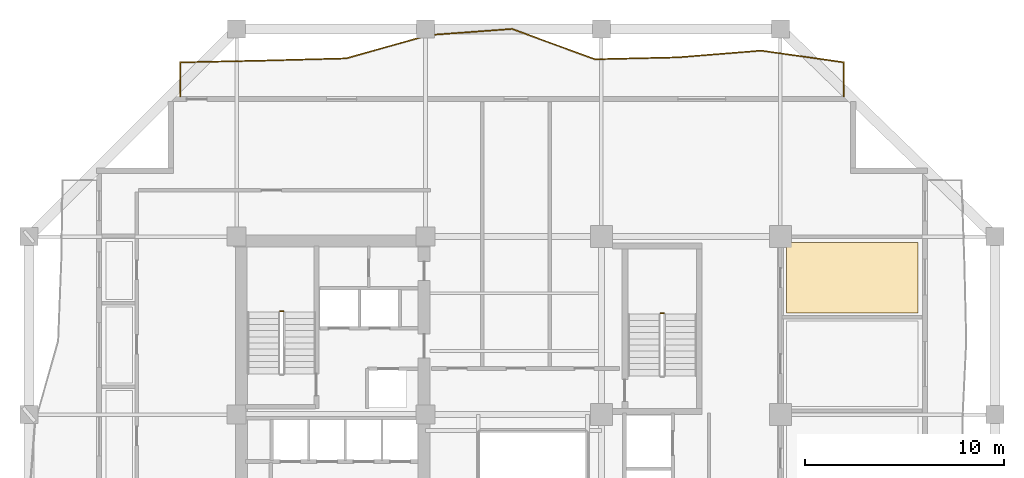
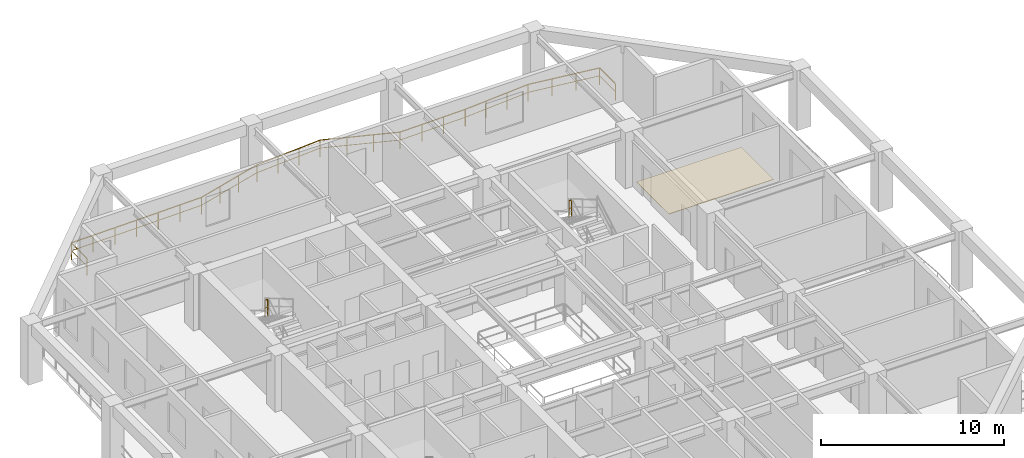
# One storey, part 10 of 11: 3 railings, 1 covering.
"""IFC4 building model written with IfcOpenShell, lengths in metres."""

from ifc_helpers import new_model, si_unit, direction, frame, origin, origin_2d, place, context, subcontext, project, spatial, polyline, rectangle, outline, extrude, material, layer, layer_set, type_object, element, save


model = new_model("IFC4")

# Units and contexts
model_context = context("Model", 3, precision=1e-05, world=origin(), true_north=direction((0.0, 1.0)))
body_context = subcontext(model_context, "Body", "Model", "MODEL_VIEW")
ifc_project = project(units=[si_unit("LENGTHUNIT", "METRE"), si_unit("AREAUNIT", "SQUARE_METRE"), si_unit("VOLUMEUNIT", "CUBIC_METRE"), si_unit("PLANEANGLEUNIT", "RADIAN"), si_unit("MASSUNIT", "GRAM", prefix="KILO")], contexts=[model_context])

# Site, building, storey
site_placement = place(None, origin())
site = spatial("IfcSite", under=ifc_project, at=site_placement, CompositionType="ELEMENT")
building_placement = place(site_placement, origin())
building = spatial("IfcBuilding", under=site, at=building_placement, Name="Kundavana Baori Tower", CompositionType="ELEMENT")
storey_placement = place(building_placement, frame((0.0, 0.0, 82.0)))
storey = spatial("IfcBuildingStorey", under=building, at=storey_placement, Name="L19", CompositionType="ELEMENT", Elevation=82.0)

# Covering
ifc_material_1 = material(Name="Honed Kota Stone and Terrazzo Flooring", Category="masonry")
ifc_layer = layer(ifc_material_1, 0.030029296875, Name="COV-INT-FLR")
ifc_layer_set = layer_set([ifc_layer], Name="Honed Kota Stone and Terrazzo Flooring")
covering_type = type_object("IfcCoveringType", Name="COV-INT-FLR", PredefinedType="FLOORING", material=ifc_layer_set)
covering_placement = place(storey_placement, origin())
element("IfcCovering", 1, at=covering_placement, inside=storey, type_object=covering_type, Name="L19 Room Finished Stone Flooring 18", PredefinedType="FLOORING", context=body_context, shape_type="SweptSolid", body=[
    extrude(outline(polyline([(43.10009765625, 38.10009765625), (49.719970703125, 38.10009765625), (49.719970703125, 41.64990234375), (43.10009765625, 41.64990234375), (43.10009765625, 38.10009765625)])), origin(), (0.0, 0.0, 1.0), 0.030029296875),
])

# Railings
ifc_material_2 = material(Name="Architectural Patinated Bronze Metalwork")
railing_type_1 = type_object("IfcRailingType", Name="RL-BAL-1150", PredefinedType="BALUSTRADE", material=ifc_material_2)
railing_1_placement = place(storey_placement, frame((12.60009765625, 49.0, 0.0)))
element("IfcRailing", 2, at=railing_1_placement, inside=storey, type_object=railing_type_1, Name="L19 Loggia Balcony Balustrade N", PredefinedType="BALUSTRADE", context=body_context, shape_type="SweptSolid", body=[
    extrude(rectangle(XDim=0.048095703125, YDim=0.048095703125, at=origin_2d()), frame((0.0, 0.0, 1.1259765625), z_axis=(0.0, 1.0, 0.0), x_axis=(-1.0, 0.0, 0.0)), (0.0, 0.0, 1.0), 1.719970703125),
    extrude(rectangle(XDim=0.03125, YDim=0.03125, at=origin_2d()), frame((0.0, 0.0, 0.597900390625), z_axis=(0.0, 1.0, 0.0), x_axis=(-1.0, 0.0, 0.0)), (0.0, 0.0, 1.0), 1.719970703125),
    extrude(rectangle(XDim=0.048095703125, YDim=0.048095703125, at=origin_2d()), frame((0.0, 1.719970703125, 1.1259765625), z_axis=(0.999777234952, 0.021106408293, 0.0), x_axis=(-0.021106408293, 0.999777234952, 0.0)), (0.0, 0.0, 1.0), 4.17578125),
    extrude(rectangle(XDim=0.03125, YDim=0.03125, at=origin_2d()), frame((0.0, 1.719970703125, 0.597900390625), z_axis=(0.999777234952, 0.021106408293, 0.0), x_axis=(-0.021106408293, 0.999777234952, 0.0)), (0.0, 0.0, 1.0), 4.17578125),
    extrude(rectangle(XDim=0.048095703125, YDim=0.048095703125, at=origin_2d()), frame((4.1748046875, 1.80810546875, 1.1259765625), z_axis=(0.999647783903, 0.026538804391, 0.0), x_axis=(-0.026538804391, 0.999647783903, 0.0)), (0.0, 0.0, 1.0), 4.176513671875),
    extrude(rectangle(XDim=0.03125, YDim=0.03125, at=origin_2d()), frame((4.1748046875, 1.80810546875, 0.597900390625), z_axis=(0.999647783903, 0.026538804391, 0.0), x_axis=(-0.026538804391, 0.999647783903, 0.0)), (0.0, 0.0, 1.0), 4.176513671875),
    extrude(rectangle(XDim=0.048095703125, YDim=0.048095703125, at=origin_2d()), frame((8.349853515625, 1.9189453125, 1.1259765625), z_axis=(0.96283643691, 0.2700851639, 0.0), x_axis=(-0.2700851639, 0.96283643691, 0.0)), (0.0, 0.0, 1.0), 4.336181640625),
    extrude(rectangle(XDim=0.03125, YDim=0.03125, at=origin_2d()), frame((8.349853515625, 1.9189453125, 0.597900390625), z_axis=(0.96283643691, 0.2700851639, 0.0), x_axis=(-0.2700851639, 0.96283643691, 0.0)), (0.0, 0.0, 1.0), 4.336181640625),
    extrude(rectangle(XDim=0.048095703125, YDim=0.048095703125, at=origin_2d()), frame((12.52490234375, 3.090087890625, 1.1259765625), z_axis=(0.997258039813, 0.074002716363, 0.0), x_axis=(-0.074002716363, 0.997258039813, 0.0)), (0.0, 0.0, 1.0), 4.1865234375),
    extrude(rectangle(XDim=0.03125, YDim=0.03125, at=origin_2d()), frame((12.52490234375, 3.090087890625, 0.597900390625), z_axis=(0.997258039813, 0.074002716363, 0.0), x_axis=(-0.074002716363, 0.997258039813, 0.0)), (0.0, 0.0, 1.0), 4.1865234375),
    extrude(rectangle(XDim=0.048095703125, YDim=0.048095703125, at=origin_2d()), frame((16.699951171875, 3.39990234375, 1.1259765625), z_axis=(0.939237342808, -0.343268428311, 0.0), x_axis=(0.343268428311, 0.939237342808, 0.0)), (0.0, 0.0, 1.0), 4.445068359375),
    extrude(rectangle(XDim=0.03125, YDim=0.03125, at=origin_2d()), frame((16.699951171875, 3.39990234375, 0.597900390625), z_axis=(0.939237342808, -0.343268428311, 0.0), x_axis=(0.343268428311, 0.939237342808, 0.0)), (0.0, 0.0, 1.0), 4.445068359375),
    extrude(rectangle(XDim=0.048095703125, YDim=0.048095703125, at=origin_2d()), frame((20.875, 1.8740234375, 1.1259765625), z_axis=(0.999725155244, 0.023443847208, 0.0), x_axis=(-0.023443847208, 0.999725155244, 0.0)), (0.0, 0.0, 1.0), 4.176025390625),
    extrude(rectangle(XDim=0.03125, YDim=0.03125, at=origin_2d()), frame((20.875, 1.8740234375, 0.597900390625), z_axis=(0.999725155244, 0.023443847208, 0.0), x_axis=(-0.023443847208, 0.999725155244, 0.0)), (0.0, 0.0, 1.0), 4.176025390625),
    extrude(rectangle(XDim=0.048095703125, YDim=0.048095703125, at=origin_2d()), frame((25.0498046875, 1.971923828125, 1.1259765625), z_axis=(0.99673640366, 0.080725099063, 0.0), x_axis=(-0.080725099063, 0.99673640366, 0.0)), (0.0, 0.0, 1.0), 4.188720703125),
    extrude(rectangle(XDim=0.03125, YDim=0.03125, at=origin_2d()), frame((25.0498046875, 1.971923828125, 0.597900390625), z_axis=(0.99673640366, 0.080725099063, 0.0), x_axis=(-0.080725099063, 0.99673640366, 0.0)), (0.0, 0.0, 1.0), 4.188720703125),
    extrude(rectangle(XDim=0.048095703125, YDim=0.048095703125, at=origin_2d()), frame((29.224853515625, 2.31005859375, 1.1259765625), z_axis=(0.990159152739, -0.139945890426, 0.0), x_axis=(0.139945890426, 0.990159152739, 0.0)), (0.0, 0.0, 1.0), 4.216552734375),
    extrude(rectangle(XDim=0.03125, YDim=0.03125, at=origin_2d()), frame((29.224853515625, 2.31005859375, 0.597900390625), z_axis=(0.990159152739, -0.139945890426, 0.0), x_axis=(0.139945890426, 0.990159152739, 0.0)), (0.0, 0.0, 1.0), 4.216552734375),
    extrude(rectangle(XDim=0.048095703125, YDim=0.048095703125, at=origin_2d()), frame((33.39990234375, 1.719970703125, 1.1259765625), z_axis=(0.0, -1.0, 0.0), x_axis=(1.0, 0.0, 0.0)), (0.0, 0.0, 1.0), 1.719970703125),
    extrude(rectangle(XDim=0.03125, YDim=0.03125, at=origin_2d()), frame((33.39990234375, 1.719970703125, 0.597900390625), z_axis=(0.0, -1.0, 0.0), x_axis=(1.0, 0.0, 0.0)), (0.0, 0.0, 1.0), 1.719970703125),
    extrude(rectangle(XDim=0.0419921875, YDim=0.0419921875, at=origin_2d()), origin(), (0.0, 0.0, 1.0), 1.101806640625),
    extrude(rectangle(XDim=0.0419921875, YDim=0.0419921875, at=origin_2d()), frame((0.0, 1.719970703125, 0.0)), (0.0, 0.0, 1.0), 1.101806640625),
    extrude(rectangle(XDim=0.0419921875, YDim=0.0419921875, at=origin_2d()), frame((1.3916015625, 1.749267578125, 0.0)), (0.0, 0.0, 1.0), 1.101806640625),
    extrude(rectangle(XDim=0.0419921875, YDim=0.0419921875, at=origin_2d()), frame((2.783203125, 1.77880859375, 0.0)), (0.0, 0.0, 1.0), 1.101806640625),
    extrude(rectangle(XDim=0.0419921875, YDim=0.0419921875, at=origin_2d()), frame((4.1748046875, 1.80810546875, 0.0)), (0.0, 0.0, 1.0), 1.101806640625),
    extrude(rectangle(XDim=0.0419921875, YDim=0.0419921875, at=origin_2d()), frame((5.56640625, 1.844970703125, 0.0)), (0.0, 0.0, 1.0), 1.101806640625),
    extrude(rectangle(XDim=0.0419921875, YDim=0.0419921875, at=origin_2d()), frame((6.958251953125, 1.882080078125, 0.0)), (0.0, 0.0, 1.0), 1.101806640625),
    extrude(rectangle(XDim=0.0419921875, YDim=0.0419921875, at=origin_2d()), frame((8.349853515625, 1.9189453125, 0.0)), (0.0, 0.0, 1.0), 1.101806640625),
    extrude(rectangle(XDim=0.0419921875, YDim=0.0419921875, at=origin_2d()), frame((9.741455078125, 2.309326171875, 0.0)), (0.0, 0.0, 1.0), 1.101806640625),
    extrude(rectangle(XDim=0.0419921875, YDim=0.0419921875, at=origin_2d()), frame((11.13330078125, 2.69970703125, 0.0)), (0.0, 0.0, 1.0), 1.101806640625),
    extrude(rectangle(XDim=0.0419921875, YDim=0.0419921875, at=origin_2d()), frame((12.52490234375, 3.090087890625, 0.0)), (0.0, 0.0, 1.0), 1.101806640625),
    extrude(rectangle(XDim=0.0419921875, YDim=0.0419921875, at=origin_2d()), frame((13.91650390625, 3.193359375, 0.0)), (0.0, 0.0, 1.0), 1.101806640625),
    extrude(rectangle(XDim=0.0419921875, YDim=0.0419921875, at=origin_2d()), frame((15.308349609375, 3.296630859375, 0.0)), (0.0, 0.0, 1.0), 1.101806640625),
    extrude(rectangle(XDim=0.0419921875, YDim=0.0419921875, at=origin_2d()), frame((16.699951171875, 3.39990234375, 0.0)), (0.0, 0.0, 1.0), 1.101806640625),
    extrude(rectangle(XDim=0.0419921875, YDim=0.0419921875, at=origin_2d()), frame((18.091552734375, 2.891357421875, 0.0)), (0.0, 0.0, 1.0), 1.101806640625),
    extrude(rectangle(XDim=0.0419921875, YDim=0.0419921875, at=origin_2d()), frame((19.4833984375, 2.382568359375, 0.0)), (0.0, 0.0, 1.0), 1.101806640625),
    extrude(rectangle(XDim=0.0419921875, YDim=0.0419921875, at=origin_2d()), frame((20.875, 1.8740234375, 0.0)), (0.0, 0.0, 1.0), 1.101806640625),
    extrude(rectangle(XDim=0.0419921875, YDim=0.0419921875, at=origin_2d()), frame((22.2666015625, 1.90673828125, 0.0)), (0.0, 0.0, 1.0), 1.101806640625),
    extrude(rectangle(XDim=0.0419921875, YDim=0.0419921875, at=origin_2d()), frame((23.658203125, 1.939208984375, 0.0)), (0.0, 0.0, 1.0), 1.101806640625),
    extrude(rectangle(XDim=0.0419921875, YDim=0.0419921875, at=origin_2d()), frame((25.0498046875, 1.971923828125, 0.0)), (0.0, 0.0, 1.0), 1.101806640625),
    extrude(rectangle(XDim=0.0419921875, YDim=0.0419921875, at=origin_2d()), frame((26.44140625, 2.084716796875, 0.0)), (0.0, 0.0, 1.0), 1.101806640625),
    extrude(rectangle(XDim=0.0419921875, YDim=0.0419921875, at=origin_2d()), frame((27.833251953125, 2.197265625, 0.0)), (0.0, 0.0, 1.0), 1.101806640625),
    extrude(rectangle(XDim=0.0419921875, YDim=0.0419921875, at=origin_2d()), frame((29.224853515625, 2.31005859375, 0.0)), (0.0, 0.0, 1.0), 1.101806640625),
    extrude(rectangle(XDim=0.0419921875, YDim=0.0419921875, at=origin_2d()), frame((30.616455078125, 2.11328125, 0.0)), (0.0, 0.0, 1.0), 1.101806640625),
    extrude(rectangle(XDim=0.0419921875, YDim=0.0419921875, at=origin_2d()), frame((32.00830078125, 1.916748046875, 0.0)), (0.0, 0.0, 1.0), 1.101806640625),
    extrude(rectangle(XDim=0.0419921875, YDim=0.0419921875, at=origin_2d()), frame((33.39990234375, 1.719970703125, 0.0)), (0.0, 0.0, 1.0), 1.101806640625),
    extrude(rectangle(XDim=0.0419921875, YDim=0.0419921875, at=origin_2d()), frame((33.39990234375, 0.0, 0.0)), (0.0, 0.0, 1.0), 1.101806640625),
])
ifc_material_3 = material(Name="Architectural Patinated Bronze Metalwork")
railing_type_2 = type_object("IfcRailingType", Name="RL-GRD-1150", PredefinedType="GUARDRAIL", material=ifc_material_3)
railing_2_placement = place(storey_placement, frame((17.7900390625, 38.199951171875, 2.0)))
element("IfcRailing", 3, at=railing_2_placement, inside=storey, type_object=railing_type_2, Name="L19 ST2 stair guard 2", PredefinedType="GUARDRAIL", context=body_context, shape_type="SweptSolid", body=[
    extrude(rectangle(XDim=0.048095703125, YDim=0.048095703125, at=origin_2d()), frame((0.0, 0.0, 1.1259765625), z_axis=(-1.0, 0.0, 0.0), x_axis=(0.0, -1.0, 0.0)), (0.0, 0.0, 1.0), 0.16015625),
    extrude(rectangle(XDim=0.03125, YDim=0.03125, at=origin_2d()), frame((0.0, 0.0, 0.597900390625), z_axis=(-1.0, 0.0, 0.0), x_axis=(0.0, -1.0, 0.0)), (0.0, 0.0, 1.0), 0.16015625),
    extrude(rectangle(XDim=0.0419921875, YDim=0.0419921875, at=origin_2d()), origin(), (0.0, 0.0, 1.0), 1.101806640625),
    extrude(rectangle(XDim=0.0419921875, YDim=0.0419921875, at=origin_2d()), frame((-0.16015625, 0.0, 0.0)), (0.0, 0.0, 1.0), 1.101806640625),
])
railing_3_placement = place(storey_placement, frame((36.929931640625, 38.10009765625, 2.0)))
element("IfcRailing", 4, at=railing_3_placement, inside=storey, type_object=railing_type_2, Name="L19 ST3 stair guard 2", PredefinedType="GUARDRAIL", context=body_context, shape_type="SweptSolid", body=[
    extrude(rectangle(XDim=0.048095703125, YDim=0.048095703125, at=origin_2d()), frame((0.0, 0.0, 1.1259765625), z_axis=(-1.0, 0.0, 0.0), x_axis=(0.0, -1.0, 0.0)), (0.0, 0.0, 1.0), 0.159912109375),
    extrude(rectangle(XDim=0.03125, YDim=0.03125, at=origin_2d()), frame((0.0, 0.0, 0.597900390625), z_axis=(-1.0, 0.0, 0.0), x_axis=(0.0, -1.0, 0.0)), (0.0, 0.0, 1.0), 0.159912109375),
    extrude(rectangle(XDim=0.0419921875, YDim=0.0419921875, at=origin_2d()), origin(), (0.0, 0.0, 1.0), 1.101806640625),
    extrude(rectangle(XDim=0.0419921875, YDim=0.0419921875, at=origin_2d()), frame((-0.159912109375, 0.0, 0.0)), (0.0, 0.0, 1.0), 1.101806640625),
])

save(model, "model.ifc")
